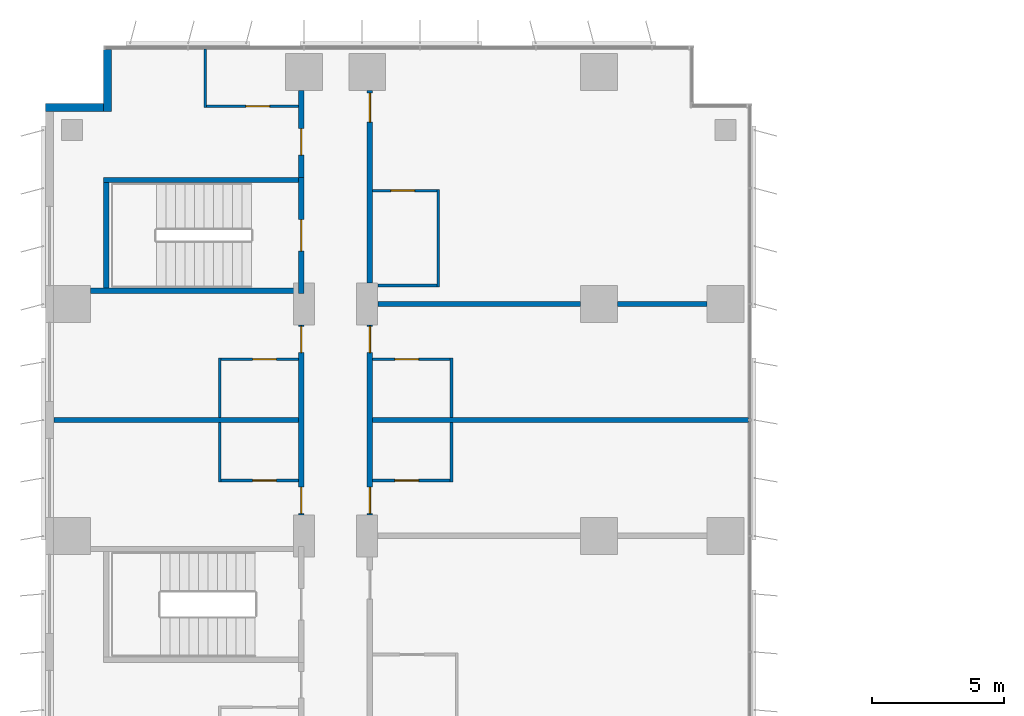
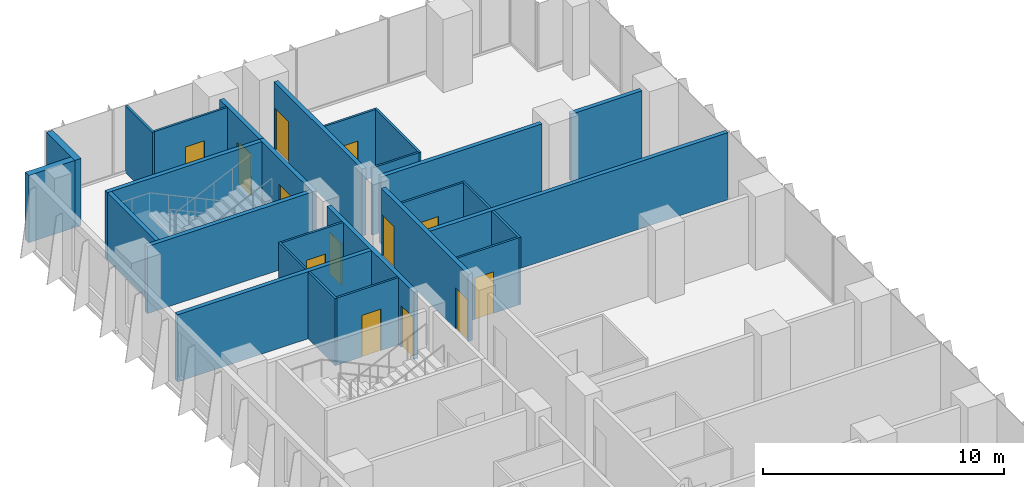
# One storey, part 19 of 24: 27 walls, 13 doors, 13 openings.
"""IFC4 building model written with IfcOpenShell, lengths in metres."""

from ifc_helpers import new_model, si_unit, direction, frame, frame_2d, origin, place, context, subcontext, project, spatial, rectangle, extrude, material, layer, layer_set, type_object, element, fill, save


model = new_model("IFC4")

# Units and contexts
model_context = context("Model", 3, precision=1e-05, world=origin(), true_north=direction((0.0, 1.0)))
body_context = subcontext(model_context, "Body", "Model", "MODEL_VIEW")
ifc_project = project(units=[si_unit("LENGTHUNIT", "METRE"), si_unit("AREAUNIT", "SQUARE_METRE"), si_unit("VOLUMEUNIT", "CUBIC_METRE"), si_unit("PLANEANGLEUNIT", "RADIAN"), si_unit("MASSUNIT", "GRAM", prefix="KILO")], contexts=[model_context])

# Site, building, storey
site_placement = place(None, origin())
site = spatial("IfcSite", under=ifc_project, at=site_placement, CompositionType="ELEMENT")
building_placement = place(site_placement, origin())
building = spatial("IfcBuilding", under=site, at=building_placement, Name="Kemantara Hotel Tower", CompositionType="ELEMENT")
storey_placement = place(building_placement, frame((0.0, 0.0, 37.699951171875)))
storey = spatial("IfcBuildingStorey", under=building, at=storey_placement, Name="L07", CompositionType="ELEMENT", Elevation=37.699951171875)

# Walls
ifc_material_1 = material(Name="Bronze anodised aluminium cladding on insulated steel stud wall", Category="steel")
ifc_layer_1 = layer(ifc_material_1, 0.300048828125)
ifc_layer_set_1 = layer_set([ifc_layer_1], Name="Bronze anodised aluminium cladding on insulated steel stud wall")
wall_type_1 = type_object("IfcWallType", Name="BRONZE METAL-CLAD EXTERNAL WALL 300", PredefinedType="STANDARD", material=ifc_layer_set_1)
wall_1_placement = place(storey_placement, frame((2.35009765625, 81.050048828125, 0.0), z_axis=(0.0, 0.0, 1.0), x_axis=(0.0, -1.0, 0.0)))
element("IfcWall", 1, at=wall_1_placement, inside=storey, type_object=wall_type_1, Name="EXTERNAL WALL L07 T1-R12", PredefinedType="STANDARD", context=body_context, shape_type="SweptSolid", body=[
    extrude(rectangle(XDim=2.35009765625, YDim=0.300048828125, at=frame_2d((1.175048828125, 0.0))), origin(), (0.0, 0.0, 1.0), 3.400146484375),
])
wall_2_placement = place(storey_placement, frame((2.199951171875, 78.85009765625, 0.0), z_axis=(0.0, 0.0, 1.0), x_axis=(-1.0, 0.0, 0.0)))
element("IfcWall", 2, at=wall_2_placement, inside=storey, type_object=wall_type_1, Name="EXTERNAL WALL L07 T1-R13", PredefinedType="STANDARD", context=body_context, shape_type="SweptSolid", body=[
    extrude(rectangle(XDim=2.199951171875, YDim=0.300048828125, at=frame_2d((1.10009765625, 0.0))), origin(), (0.0, 0.0, 1.0), 3.400146484375),
])

# Wall, openings, doors
ifc_material_2 = material(Name="Gypsum board partition, steel studs and mineral wool, 200 mm", Category="steel")
ifc_layer_2 = layer(ifc_material_2, 0.199951171875)
ifc_layer_set_2 = layer_set([ifc_layer_2], Name="Gypsum board partition, steel studs and mineral wool, 200 mm")
wall_type_2 = type_object("IfcWallType", Name="CORRIDOR WALL 200", PredefinedType="PARTITIONING", material=ifc_layer_set_2)
wall_3_placement = place(storey_placement, frame((9.699951171875, 63.400146484375, 0.0), z_axis=(0.0, 0.0, 1.0), x_axis=(0.0, 1.0, 0.0)))
wall_3 = element("IfcWall", 3, at=wall_3_placement, inside=storey, type_object=wall_type_2, Name="CORRIDOR WALL 200 037", PredefinedType="PARTITIONING", context=body_context, shape_type="SweptSolid", body=[
    extrude(rectangle(XDim=7.19970703125, YDim=0.199951171875, at=frame_2d((3.599853515625, 0.0))), origin(), (0.0, 0.0, 1.0), 3.400146484375),
])
opening_1_placement = place(wall_3_placement, frame((0.0498046875, 0.0, 0.0)))
opening_1 = element("IfcOpeningElement", 4, at=opening_1_placement, cuts=wall_3, Name="Opening F01-051", PredefinedType="OPENING", context=body_context, shape_type="SweptSolid", body=[
    extrude(rectangle(XDim=1.0, YDim=2.10009765625, at=frame_2d((0.5, 1.050048828125))), frame((0.0, 0.10986328125, 0.0), z_axis=(0.0, -1.0, 0.0), x_axis=(1.0, 0.0, 0.0)), (0.0, 0.0, 1.0), 0.219970703125),
])
opening_2_placement = place(wall_3_placement, frame((6.14990234375, 0.0, 0.0)))
opening_2 = element("IfcOpeningElement", 5, at=opening_2_placement, cuts=wall_3, Name="Opening F01-053", PredefinedType="OPENING", context=body_context, shape_type="SweptSolid", body=[
    extrude(rectangle(XDim=1.0, YDim=2.10009765625, at=frame_2d((0.5, 1.050048828125))), frame((0.0, 0.10986328125, 0.0), z_axis=(0.0, -1.0, 0.0), x_axis=(1.0, 0.0, 0.0)), (0.0, 0.0, 1.0), 0.219970703125),
])
ifc_material_3 = material(Name="Hardwood veneer door leaf with steel frame", Category="steel")
door_type_1 = type_object("IfcDoorType", Name="GUEST ROOM DOOR 1000 X 2100 FD30S", OperationType="NOTDEFINED", PredefinedType="DOOR", material=ifc_material_3)
door_1_placement = place(opening_1_placement, origin())
door_1 = element("IfcDoor", 6, at=door_1_placement, inside=storey, type_object=door_type_1, Name="GUEST ROOM DOOR F01-051", OperationType="SINGLE_SWING_LEFT", OverallHeight=2.10009765625, OverallWidth=1.0, PredefinedType="DOOR", context=body_context, shape_type="SweptSolid", body=[
    extrude(rectangle(XDim=1.0, YDim=2.10009765625, at=frame_2d((0.5, 1.050048828125))), frame((0.0, 0.02490234375, 0.0), z_axis=(0.0, -1.0, 0.0), x_axis=(1.0, 0.0, 0.0)), (0.0, 0.0, 1.0), 0.050048828125),
])
fill(opening_1, door_1)
door_2_placement = place(opening_2_placement, origin())
door_2 = element("IfcDoor", 7, at=door_2_placement, inside=storey, type_object=door_type_1, Name="GUEST ROOM DOOR F01-053", OperationType="SINGLE_SWING_RIGHT", OverallHeight=2.10009765625, OverallWidth=1.0, PredefinedType="DOOR", context=body_context, shape_type="SweptSolid", body=[
    extrude(rectangle(XDim=1.0, YDim=2.10009765625, at=frame_2d((0.5, 1.050048828125))), frame((0.0, 0.02490234375, 0.0), z_axis=(0.0, -1.0, 0.0), x_axis=(1.0, 0.0, 0.0)), (0.0, 0.0, 1.0), 0.050048828125),
])
fill(opening_2, door_2)

# Wall, opening, door
wall_4_placement = place(storey_placement, frame((9.699951171875, 76.199951171875, 0.0), z_axis=(0.0, 0.0, 1.0), x_axis=(0.0, 1.0, 0.0)))
wall_4 = element("IfcWall", 8, at=wall_4_placement, inside=storey, type_object=wall_type_2, Name="CORRIDOR WALL 200 038", PredefinedType="PARTITIONING", context=body_context, shape_type="SweptSolid", body=[
    extrude(rectangle(XDim=3.300048828125, YDim=0.199951171875, at=frame_2d((1.64990234375, 0.0))), origin(), (0.0, 0.0, 1.0), 3.400146484375),
])
opening_3_placement = place(wall_4_placement, frame((0.85009765625, 0.0, 0.0)))
opening_3 = element("IfcOpeningElement", 9, at=opening_3_placement, cuts=wall_4, Name="Opening F01-055", PredefinedType="OPENING", context=body_context, shape_type="SweptSolid", body=[
    extrude(rectangle(XDim=1.0, YDim=2.10009765625, at=frame_2d((0.5, 1.050048828125))), frame((0.0, 0.10986328125, 0.0), z_axis=(0.0, -1.0, 0.0), x_axis=(1.0, 0.0, 0.0)), (0.0, 0.0, 1.0), 0.219970703125),
])
door_3_placement = place(opening_3_placement, origin())
door_3 = element("IfcDoor", 10, at=door_3_placement, inside=storey, type_object=door_type_1, Name="GUEST ROOM DOOR F01-055", OperationType="SINGLE_SWING_LEFT", OverallHeight=2.10009765625, OverallWidth=1.0, PredefinedType="DOOR", context=body_context, shape_type="SweptSolid", body=[
    extrude(rectangle(XDim=1.0, YDim=2.10009765625, at=frame_2d((0.5, 1.050048828125))), frame((0.0, 0.02490234375, 0.0), z_axis=(0.0, -1.0, 0.0), x_axis=(1.0, 0.0, 0.0)), (0.0, 0.0, 1.0), 0.050048828125),
])
fill(opening_3, door_3)

# Wall, openings, doors
wall_5_placement = place(storey_placement, frame((12.300048828125, 70.599853515625, 0.0), z_axis=(0.0, 0.0, 1.0), x_axis=(0.0, -1.0, 0.0)))
wall_5 = element("IfcWall", 11, at=wall_5_placement, inside=storey, type_object=wall_type_2, Name="CORRIDOR WALL 200 061", PredefinedType="PARTITIONING", context=body_context, shape_type="SweptSolid", body=[
    extrude(rectangle(XDim=7.19970703125, YDim=0.199951171875, at=frame_2d((3.599853515625, 0.0))), origin(), (0.0, 0.0, 1.0), 3.400146484375),
])
opening_4_placement = place(wall_5_placement, frame((6.14990234375, 0.0, 0.0)))
opening_4 = element("IfcOpeningElement", 12, at=opening_4_placement, cuts=wall_5, Name="Opening F01-071", PredefinedType="OPENING", context=body_context, shape_type="SweptSolid", body=[
    extrude(rectangle(XDim=1.0, YDim=2.10009765625, at=frame_2d((0.5, 1.050048828125))), frame((0.0, 0.10986328125, 0.0), z_axis=(0.0, -1.0, 0.0), x_axis=(1.0, 0.0, 0.0)), (0.0, 0.0, 1.0), 0.219970703125),
])
opening_5_placement = place(wall_5_placement, frame((0.0498046875, 0.0, 0.0)))
opening_5 = element("IfcOpeningElement", 13, at=opening_5_placement, cuts=wall_5, Name="Opening F01-073", PredefinedType="OPENING", context=body_context, shape_type="SweptSolid", body=[
    extrude(rectangle(XDim=1.0, YDim=2.10009765625, at=frame_2d((0.5, 1.050048828125))), frame((0.0, 0.10986328125, 0.0), z_axis=(0.0, -1.0, 0.0), x_axis=(1.0, 0.0, 0.0)), (0.0, 0.0, 1.0), 0.219970703125),
])
door_4_placement = place(opening_4_placement, origin())
door_4 = element("IfcDoor", 14, at=door_4_placement, inside=storey, type_object=door_type_1, Name="GUEST ROOM DOOR F01-071", OperationType="SINGLE_SWING_RIGHT", OverallHeight=2.10009765625, OverallWidth=1.0, PredefinedType="DOOR", context=body_context, shape_type="SweptSolid", body=[
    extrude(rectangle(XDim=1.0, YDim=2.10009765625, at=frame_2d((0.5, 1.050048828125))), frame((0.0, 0.02490234375, 0.0), z_axis=(0.0, -1.0, 0.0), x_axis=(1.0, 0.0, 0.0)), (0.0, 0.0, 1.0), 0.050048828125),
])
fill(opening_4, door_4)
door_5_placement = place(opening_5_placement, origin())
door_5 = element("IfcDoor", 15, at=door_5_placement, inside=storey, type_object=door_type_1, Name="GUEST ROOM DOOR F01-073", OperationType="SINGLE_SWING_LEFT", OverallHeight=2.10009765625, OverallWidth=1.0, PredefinedType="DOOR", context=body_context, shape_type="SweptSolid", body=[
    extrude(rectangle(XDim=1.0, YDim=2.10009765625, at=frame_2d((0.5, 1.050048828125))), frame((0.0, 0.02490234375, 0.0), z_axis=(0.0, -1.0, 0.0), x_axis=(1.0, 0.0, 0.0)), (0.0, 0.0, 1.0), 0.050048828125),
])
fill(opening_5, door_5)

# Wall, opening, door
wall_6_placement = place(storey_placement, frame((12.300048828125, 79.5, 0.0), z_axis=(0.0, 0.0, 1.0), x_axis=(0.0, -1.0, 0.0)))
wall_6 = element("IfcWall", 16, at=wall_6_placement, inside=storey, type_object=wall_type_2, Name="CORRIDOR WALL 200 062", PredefinedType="PARTITIONING", context=body_context, shape_type="SweptSolid", body=[
    extrude(rectangle(XDim=7.2998046875, YDim=0.199951171875, at=frame_2d((3.64990234375, 0.0))), origin(), (0.0, 0.0, 1.0), 3.400146484375),
])
opening_6_placement = place(wall_6_placement, frame((0.099853515625, 0.0, 0.0)))
opening_6 = element("IfcOpeningElement", 17, at=opening_6_placement, cuts=wall_6, Name="Opening F01-075", PredefinedType="OPENING", context=body_context, shape_type="SweptSolid", body=[
    extrude(rectangle(XDim=1.10009765625, YDim=2.10009765625, at=frame_2d((0.550048828125, 1.050048828125))), frame((0.0, 0.10986328125, 0.0), z_axis=(0.0, -1.0, 0.0), x_axis=(1.0, 0.0, 0.0)), (0.0, 0.0, 1.0), 0.219970703125),
])
door_type_2 = type_object("IfcDoorType", Name="SUITE ENTRANCE DOOR 1100 X 2100 FD30S", OperationType="NOTDEFINED", PredefinedType="DOOR", material=ifc_material_3)
door_6_placement = place(opening_6_placement, origin())
door_6 = element("IfcDoor", 18, at=door_6_placement, inside=storey, type_object=door_type_2, Name="SUITE ENTRANCE DOOR F01-075", OperationType="SINGLE_SWING_LEFT", OverallHeight=2.10009765625, OverallWidth=1.10009765625, PredefinedType="DOOR", context=body_context, shape_type="SweptSolid", body=[
    extrude(rectangle(XDim=1.10009765625, YDim=2.10009765625, at=frame_2d((0.550048828125, 1.050048828125))), frame((0.0, 0.02490234375, 0.0), z_axis=(0.0, -1.0, 0.0), x_axis=(1.0, 0.0, 0.0)), (0.0, 0.0, 1.0), 0.050048828125),
])
fill(opening_6, door_6)

ifc_material_4 = material(Name="Concrete fc 40 MPa", Category="concrete")
ifc_layer_3 = layer(ifc_material_4, 0.199951171875)
ifc_layer_set_3 = layer_set([ifc_layer_3], Name="Concrete fc 40 MPa")
wall_type_3 = type_object("IfcWallType", Name="Concrete stair wall 200 mm", PredefinedType="SHEAR", material=ifc_layer_set_3)
wall_7_placement = place(storey_placement, frame((9.699951171875, 71.800048828125, 0.0), z_axis=(0.0, 0.0, 1.0), x_axis=(0.0, 1.0, 0.0)))
wall_7 = element("IfcWall", 19, at=wall_7_placement, inside=storey, type_object=wall_type_3, Name="Stair ST6 enclosure wall with door", PredefinedType="SHEAR", context=body_context, shape_type="SweptSolid", body=[
    extrude(rectangle(XDim=4.39990234375, YDim=0.199951171875, at=frame_2d((2.199951171875, 0.0))), origin(), (0.0, 0.0, 1.0), 3.400146484375),
])
opening_7_placement = place(wall_7_placement, frame((1.60009765625, 0.0, 0.0)))
opening_7 = element("IfcOpeningElement", 20, at=opening_7_placement, cuts=wall_7, Name="Opening ST6-C", PredefinedType="OPENING", context=body_context, shape_type="SweptSolid", body=[
    extrude(rectangle(XDim=1.199951171875, YDim=2.10009765625, at=frame_2d((0.60009765625, 1.050048828125))), frame((0.0, 0.10986328125, 0.0), z_axis=(0.0, -1.0, 0.0), x_axis=(1.0, 0.0, 0.0)), (0.0, 0.0, 1.0), 0.219970703125),
])
ifc_material_5 = material(Name="Steel fire door", Category="steel")
door_type_3 = type_object("IfcDoorType", Name="Fire door FD90 1200 x 2100", OperationType="NOTDEFINED", PredefinedType="DOOR", material=ifc_material_5)
door_7_placement = place(opening_7_placement, origin())
door_7 = element("IfcDoor", 21, at=door_7_placement, inside=storey, type_object=door_type_3, Name="Stair ST6 door", OperationType="SINGLE_SWING_RIGHT", OverallHeight=2.10009765625, OverallWidth=1.199951171875, PredefinedType="DOOR", context=body_context, shape_type="SweptSolid", body=[
    extrude(rectangle(XDim=1.199951171875, YDim=2.10009765625, at=frame_2d((0.60009765625, 1.050048828125))), frame((0.0, 0.02490234375, 0.0), z_axis=(0.0, -1.0, 0.0), x_axis=(1.0, 0.0, 0.0)), (0.0, 0.0, 1.0), 0.050048828125),
])
fill(opening_7, door_7)

# Walls
wall_8_placement = place(storey_placement, frame((2.199951171875, 76.10009765625, 0.0), z_axis=(0.0, 0.0, 1.0), x_axis=(1.0, 0.0, 0.0)))
element("IfcWall", 22, at=wall_8_placement, inside=storey, type_object=wall_type_3, Name="Stair ST6 enclosure wall N", PredefinedType="SHEAR", context=body_context, shape_type="SweptSolid", body=[
    extrude(rectangle(XDim=7.400146484375, YDim=0.199951171875, at=frame_2d((3.7001953125, 0.0))), origin(), (0.0, 0.0, 1.0), 3.400146484375),
])
wall_9_placement = place(storey_placement, frame((1.699951171875, 71.89990234375, 0.0), z_axis=(0.0, 0.0, 1.0), x_axis=(1.0, 0.0, 0.0)))
element("IfcWall", 23, at=wall_9_placement, inside=storey, type_object=wall_type_3, Name="Stair ST6 enclosure wall S", PredefinedType="SHEAR", context=body_context, shape_type="SweptSolid", body=[
    extrude(rectangle(XDim=7.900146484375, YDim=0.199951171875, at=frame_2d((3.9501953125, 0.0))), origin(), (0.0, 0.0, 1.0), 3.400146484375),
])
wall_10_placement = place(storey_placement, frame((2.300048828125, 72.0, 0.0), z_axis=(0.0, 0.0, 1.0), x_axis=(0.0, 1.0, 0.0)))
element("IfcWall", 24, at=wall_10_placement, inside=storey, type_object=wall_type_3, Name="Stair ST6 enclosure wall W", PredefinedType="SHEAR", context=body_context, shape_type="SweptSolid", body=[
    extrude(rectangle(XDim=4.0, YDim=0.199951171875, at=frame_2d((2.0, 0.0))), origin(), (0.0, 0.0, 1.0), 3.400146484375),
])
ifc_layer_4 = layer(ifc_material_2, 0.199951171875)
ifc_layer_set_4 = layer_set([ifc_layer_4], Name="Gypsum board partition, steel studs and mineral wool, 200 mm")
wall_type_4 = type_object("IfcWallType", Name="GUEST ROOM PARTY WALL 200", PredefinedType="PARTITIONING", material=ifc_layer_set_4)
wall_11_placement = place(storey_placement, frame((0.31005859375, 67.0, 0.0), z_axis=(0.0, 0.0, 1.0), x_axis=(1.0, 0.0, 0.0)))
element("IfcWall", 25, at=wall_11_placement, inside=storey, type_object=wall_type_4, Name="GUEST ROOM PARTY WALL 200 054", PredefinedType="PARTITIONING", context=body_context, shape_type="SweptSolid", body=[
    extrude(rectangle(XDim=9.2900390625, YDim=0.199951171875, at=frame_2d((4.64501953125, 0.0))), origin(), (0.0, 0.0, 1.0), 3.400146484375),
])
wall_12_placement = place(storey_placement, frame((12.39990234375, 67.0, 0.0), z_axis=(0.0, 0.0, 1.0), x_axis=(1.0, 0.0, 0.0)))
element("IfcWall", 26, at=wall_12_placement, inside=storey, type_object=wall_type_4, Name="GUEST ROOM PARTY WALL 200 055", PredefinedType="PARTITIONING", context=body_context, shape_type="SweptSolid", body=[
    extrude(rectangle(XDim=14.27001953125, YDim=0.199951171875, at=frame_2d((7.135009765625, 0.0))), origin(), (0.0, 0.0, 1.0), 3.400146484375),
])
wall_13_placement = place(storey_placement, frame((12.60009765625, 71.39990234375, 0.0), z_axis=(0.0, 0.0, 1.0), x_axis=(1.0, 0.0, 0.0)))
element("IfcWall", 27, at=wall_13_placement, inside=storey, type_object=wall_type_4, Name="GUEST ROOM PARTY WALL 200 069", PredefinedType="PARTITIONING", context=body_context, shape_type="SweptSolid", body=[
    extrude(rectangle(XDim=7.69970703125, YDim=0.199951171875, at=frame_2d((3.849853515625, 0.0))), origin(), (0.0, 0.0, 1.0), 3.400146484375),
])
wall_14_placement = place(storey_placement, frame((21.7001953125, 71.39990234375, 0.0), z_axis=(0.0, 0.0, 1.0), x_axis=(1.0, 0.0, 0.0)))
element("IfcWall", 28, at=wall_14_placement, inside=storey, type_object=wall_type_4, Name="GUEST ROOM PARTY WALL 200 070", PredefinedType="PARTITIONING", context=body_context, shape_type="SweptSolid", body=[
    extrude(rectangle(XDim=3.399658203125, YDim=0.199951171875, at=frame_2d((1.69970703125, 0.0))), origin(), (0.0, 0.0, 1.0), 3.400146484375),
])
ifc_material_6 = material(Name="Gypsum board partition on steel studs, 100 mm", Category="steel")
ifc_layer_5 = layer(ifc_material_6, 0.10009765625)
ifc_layer_set_5 = layer_set([ifc_layer_5], Name="Gypsum board partition on steel studs, 100 mm")
wall_type_5 = type_object("IfcWallType", Name="ROOM PARTITION 100", PredefinedType="PARTITIONING", material=ifc_layer_set_5)
wall_15_placement = place(storey_placement, frame((6.050048828125, 78.85009765625, 0.0), z_axis=(0.0, 0.0, 1.0), x_axis=(0.0, 1.0, 0.0)))
element("IfcWall", 29, at=wall_15_placement, inside=storey, type_object=wall_type_5, Name="ROOM PARTITION 100 106", PredefinedType="PARTITIONING", context=body_context, shape_type="SweptSolid", body=[
    extrude(rectangle(XDim=2.219970703125, YDim=0.10009765625, at=frame_2d((1.10986328125, 0.0))), origin(), (0.0, 0.0, 1.0), 3.400146484375),
])
for number, where, z_axis, x_axis, name in (
    (30, (6.60009765625, 64.64990234375, 0.0), (0.0, 0.0, 1.0), (0.0, 1.0, 0.0), "ROOM PARTITION 100 119"),
    (31, (6.60009765625, 67.10009765625, 0.0), (0.0, 0.0, 1.0), (0.0, 1.0, 0.0), "ROOM PARTITION 100 120"),
):
    element("IfcWall", number, at=place(storey_placement, frame(where, z_axis=z_axis, x_axis=x_axis)), inside=storey, type_object=wall_type_5, Name=name, PredefinedType="PARTITIONING", context=body_context, shape_type="SweptSolid", body=[
        extrude(rectangle(XDim=2.25, YDim=0.10009765625, at=frame_2d((1.125, 0.0))), origin(), (0.0, 0.0, 1.0), 3.400146484375),
    ])

# Wall, opening, door
wall_16_placement = place(storey_placement, frame((6.64990234375, 64.699951171875, 0.0), z_axis=(0.0, 0.0, 1.0), x_axis=(1.0, 0.0, 0.0)))
wall_16 = element("IfcWall", 32, at=wall_16_placement, inside=storey, type_object=wall_type_5, Name="ROOM PARTITION 100 128", PredefinedType="PARTITIONING", context=body_context, shape_type="SweptSolid", body=[
    extrude(rectangle(XDim=2.9501953125, YDim=0.10009765625, at=frame_2d((1.47509765625, 0.0))), origin(), (0.0, 0.0, 1.0), 3.400146484375),
])
opening_8_placement = place(wall_16_placement, frame((1.199951171875, 0.0, 0.0)))
opening_8 = element("IfcOpeningElement", 33, at=opening_8_placement, cuts=wall_16, Name="Opening F01-052", PredefinedType="OPENING", context=body_context, shape_type="SweptSolid", body=[
    extrude(rectangle(XDim=0.89990234375, YDim=2.10009765625, at=frame_2d((0.449951171875, 1.050048828125))), frame((0.0, 0.06005859375, 0.0), z_axis=(0.0, -1.0, 0.0), x_axis=(1.0, 0.0, 0.0)), (0.0, 0.0, 1.0), 0.1201171875),
])
door_type_4 = type_object("IfcDoorType", Name="BATHROOM DOOR 900 X 2100", OperationType="NOTDEFINED", PredefinedType="DOOR", material=ifc_material_3)
door_8_placement = place(opening_8_placement, origin())
door_8 = element("IfcDoor", 34, at=door_8_placement, inside=storey, type_object=door_type_4, Name="BATHROOM DOOR F01-052", OperationType="SINGLE_SWING_RIGHT", OverallHeight=2.10009765625, OverallWidth=0.89990234375, PredefinedType="DOOR", context=body_context, shape_type="SweptSolid", body=[
    extrude(rectangle(XDim=0.89990234375, YDim=2.10009765625, at=frame_2d((0.449951171875, 1.050048828125))), frame((0.0, 0.02490234375, 0.0), z_axis=(0.0, -1.0, 0.0), x_axis=(1.0, 0.0, 0.0)), (0.0, 0.0, 1.0), 0.050048828125),
])
fill(opening_8, door_8)

wall_17_placement = place(storey_placement, frame((12.39990234375, 64.699951171875, 0.0), z_axis=(0.0, 0.0, 1.0), x_axis=(1.0, 0.0, 0.0)))
wall_17 = element("IfcWall", 35, at=wall_17_placement, inside=storey, type_object=wall_type_5, Name="ROOM PARTITION 100 129", PredefinedType="PARTITIONING", context=body_context, shape_type="SweptSolid", body=[
    extrude(rectangle(XDim=2.9501953125, YDim=0.10009765625, at=frame_2d((1.47509765625, 0.0))), origin(), (0.0, 0.0, 1.0), 3.400146484375),
])
opening_9_placement = place(wall_17_placement, frame((0.85009765625, 0.0, 0.0)))
opening_9 = element("IfcOpeningElement", 36, at=opening_9_placement, cuts=wall_17, Name="Opening F01-072", PredefinedType="OPENING", context=body_context, shape_type="SweptSolid", body=[
    extrude(rectangle(XDim=0.89990234375, YDim=2.10009765625, at=frame_2d((0.449951171875, 1.050048828125))), frame((0.0, 0.06005859375, 0.0), z_axis=(0.0, -1.0, 0.0), x_axis=(1.0, 0.0, 0.0)), (0.0, 0.0, 1.0), 0.1201171875),
])
door_9_placement = place(opening_9_placement, origin())
door_9 = element("IfcDoor", 37, at=door_9_placement, inside=storey, type_object=door_type_4, Name="BATHROOM DOOR F01-072", OperationType="SINGLE_SWING_LEFT", OverallHeight=2.10009765625, OverallWidth=0.89990234375, PredefinedType="DOOR", context=body_context, shape_type="SweptSolid", body=[
    extrude(rectangle(XDim=0.89990234375, YDim=2.10009765625, at=frame_2d((0.449951171875, 1.050048828125))), frame((0.0, 0.02490234375, 0.0), z_axis=(0.0, -1.0, 0.0), x_axis=(1.0, 0.0, 0.0)), (0.0, 0.0, 1.0), 0.050048828125),
])
fill(opening_9, door_9)

wall_18_placement = place(storey_placement, frame((9.60009765625, 69.300048828125, 0.0), z_axis=(0.0, 0.0, 1.0), x_axis=(-1.0, 0.0, 0.0)))
wall_18 = element("IfcWall", 38, at=wall_18_placement, inside=storey, type_object=wall_type_5, Name="ROOM PARTITION 100 130", PredefinedType="PARTITIONING", context=body_context, shape_type="SweptSolid", body=[
    extrude(rectangle(XDim=2.9501953125, YDim=0.10009765625, at=frame_2d((1.47509765625, 0.0))), origin(), (0.0, 0.0, 1.0), 3.400146484375),
])
opening_10_placement = place(wall_18_placement, frame((0.85009765625, 0.0, 0.0)))
opening_10 = element("IfcOpeningElement", 39, at=opening_10_placement, cuts=wall_18, Name="Opening F01-054", PredefinedType="OPENING", context=body_context, shape_type="SweptSolid", body=[
    extrude(rectangle(XDim=0.89990234375, YDim=2.10009765625, at=frame_2d((0.449951171875, 1.050048828125))), frame((0.0, 0.06005859375, 0.0), z_axis=(0.0, -1.0, 0.0), x_axis=(1.0, 0.0, 0.0)), (0.0, 0.0, 1.0), 0.1201171875),
])
door_10_placement = place(opening_10_placement, origin())
door_10 = element("IfcDoor", 40, at=door_10_placement, inside=storey, type_object=door_type_4, Name="BATHROOM DOOR F01-054", OperationType="SINGLE_SWING_LEFT", OverallHeight=2.10009765625, OverallWidth=0.89990234375, PredefinedType="DOOR", context=body_context, shape_type="SweptSolid", body=[
    extrude(rectangle(XDim=0.89990234375, YDim=2.10009765625, at=frame_2d((0.449951171875, 1.050048828125))), frame((0.0, 0.02490234375, 0.0), z_axis=(0.0, -1.0, 0.0), x_axis=(1.0, 0.0, 0.0)), (0.0, 0.0, 1.0), 0.050048828125),
])
fill(opening_10, door_10)

wall_19_placement = place(storey_placement, frame((15.35009765625, 69.300048828125, 0.0), z_axis=(0.0, 0.0, 1.0), x_axis=(-1.0, 0.0, 0.0)))
wall_19 = element("IfcWall", 41, at=wall_19_placement, inside=storey, type_object=wall_type_5, Name="ROOM PARTITION 100 131", PredefinedType="PARTITIONING", context=body_context, shape_type="SweptSolid", body=[
    extrude(rectangle(XDim=2.9501953125, YDim=0.10009765625, at=frame_2d((1.47509765625, 0.0))), origin(), (0.0, 0.0, 1.0), 3.400146484375),
])
opening_11_placement = place(wall_19_placement, frame((1.199951171875, 0.0, 0.0)))
opening_11 = element("IfcOpeningElement", 42, at=opening_11_placement, cuts=wall_19, Name="Opening F01-074", PredefinedType="OPENING", context=body_context, shape_type="SweptSolid", body=[
    extrude(rectangle(XDim=0.89990234375, YDim=2.10009765625, at=frame_2d((0.449951171875, 1.050048828125))), frame((0.0, 0.06005859375, 0.0), z_axis=(0.0, -1.0, 0.0), x_axis=(1.0, 0.0, 0.0)), (0.0, 0.0, 1.0), 0.1201171875),
])
door_11_placement = place(opening_11_placement, origin())
door_11 = element("IfcDoor", 43, at=door_11_placement, inside=storey, type_object=door_type_4, Name="BATHROOM DOOR F01-074", OperationType="SINGLE_SWING_RIGHT", OverallHeight=2.10009765625, OverallWidth=0.89990234375, PredefinedType="DOOR", context=body_context, shape_type="SweptSolid", body=[
    extrude(rectangle(XDim=0.89990234375, YDim=2.10009765625, at=frame_2d((0.449951171875, 1.050048828125))), frame((0.0, 0.02490234375, 0.0), z_axis=(0.0, -1.0, 0.0), x_axis=(1.0, 0.0, 0.0)), (0.0, 0.0, 1.0), 0.050048828125),
])
fill(opening_11, door_11)

wall_20_placement = place(storey_placement, frame((6.10009765625, 78.89990234375, 0.0), z_axis=(0.0, 0.0, 1.0), x_axis=(1.0, 0.0, 0.0)))
wall_20 = element("IfcWall", 44, at=wall_20_placement, inside=storey, type_object=wall_type_5, Name="ROOM PARTITION 100 132", PredefinedType="PARTITIONING", context=body_context, shape_type="SweptSolid", body=[
    extrude(rectangle(XDim=3.5, YDim=0.10009765625, at=frame_2d((1.75, 0.0))), origin(), (0.0, 0.0, 1.0), 3.400146484375),
])
opening_12_placement = place(wall_20_placement, frame((1.5, 0.0, 0.0)))
opening_12 = element("IfcOpeningElement", 45, at=opening_12_placement, cuts=wall_20, Name="Opening F01-056", PredefinedType="OPENING", context=body_context, shape_type="SweptSolid", body=[
    extrude(rectangle(XDim=0.89990234375, YDim=2.10009765625, at=frame_2d((0.449951171875, 1.050048828125))), frame((0.0, 0.06005859375, 0.0), z_axis=(0.0, -1.0, 0.0), x_axis=(1.0, 0.0, 0.0)), (0.0, 0.0, 1.0), 0.1201171875),
])
door_12_placement = place(opening_12_placement, origin())
door_12 = element("IfcDoor", 46, at=door_12_placement, inside=storey, type_object=door_type_4, Name="BATHROOM DOOR F01-056", OperationType="SINGLE_SWING_RIGHT", OverallHeight=2.10009765625, OverallWidth=0.89990234375, PredefinedType="DOOR", context=body_context, shape_type="SweptSolid", body=[
    extrude(rectangle(XDim=0.89990234375, YDim=2.10009765625, at=frame_2d((0.449951171875, 1.050048828125))), frame((0.0, 0.02490234375, 0.0), z_axis=(0.0, -1.0, 0.0), x_axis=(1.0, 0.0, 0.0)), (0.0, 0.0, 1.0), 0.050048828125),
])
fill(opening_12, door_12)

# Walls
for number, where, z_axis, x_axis, name in (
    (47, (15.39990234375, 64.64990234375, 0.0), (0.0, 0.0, 1.0), (0.0, 1.0, 0.0), "ROOM PARTITION 100 141"),
    (48, (15.39990234375, 67.10009765625, 0.0), (0.0, 0.0, 1.0), (0.0, 1.0, 0.0), "ROOM PARTITION 100 142"),
):
    element("IfcWall", number, at=place(storey_placement, frame(where, z_axis=z_axis, x_axis=x_axis)), inside=storey, type_object=wall_type_5, Name=name, PredefinedType="PARTITIONING", context=body_context, shape_type="SweptSolid", body=[
        extrude(rectangle(XDim=2.25, YDim=0.10009765625, at=frame_2d((1.125, 0.0))), origin(), (0.0, 0.0, 1.0), 3.400146484375),
    ])
wall_21_placement = place(storey_placement, frame((14.89990234375, 72.050048828125, 0.0), z_axis=(0.0, 0.0, 1.0), x_axis=(0.0, 1.0, 0.0)))
element("IfcWall", 49, at=wall_21_placement, inside=storey, type_object=wall_type_5, Name="ROOM PARTITION 100 148", PredefinedType="PARTITIONING", context=body_context, shape_type="SweptSolid", body=[
    extrude(rectangle(XDim=3.699951171875, YDim=0.10009765625, at=frame_2d((1.85009765625, 0.0))), origin(), (0.0, 0.0, 1.0), 3.400146484375),
])
wall_22_placement = place(storey_placement, frame((12.60009765625, 72.10009765625, 0.0), z_axis=(0.0, 0.0, 1.0), x_axis=(1.0, 0.0, 0.0)))
element("IfcWall", 50, at=wall_22_placement, inside=storey, type_object=wall_type_5, Name="ROOM PARTITION 100 149", PredefinedType="PARTITIONING", context=body_context, shape_type="SweptSolid", body=[
    extrude(rectangle(XDim=2.25, YDim=0.10009765625, at=frame_2d((1.125, 0.0))), origin(), (0.0, 0.0, 1.0), 3.400146484375),
])

# Wall, opening, door
wall_23_placement = place(storey_placement, frame((14.85009765625, 75.699951171875, 0.0), z_axis=(0.0, 0.0, 1.0), x_axis=(-1.0, 0.0, 0.0)))
wall_23 = element("IfcWall", 51, at=wall_23_placement, inside=storey, type_object=wall_type_5, Name="ROOM PARTITION 100 150", PredefinedType="PARTITIONING", context=body_context, shape_type="SweptSolid", body=[
    extrude(rectangle(XDim=2.4501953125, YDim=0.10009765625, at=frame_2d((1.22509765625, 0.0))), origin(), (0.0, 0.0, 1.0), 3.400146484375),
])
opening_13_placement = place(wall_23_placement, frame((0.85009765625, 0.0, 0.0)))
opening_13 = element("IfcOpeningElement", 52, at=opening_13_placement, cuts=wall_23, Name="Opening F01-076", PredefinedType="OPENING", context=body_context, shape_type="SweptSolid", body=[
    extrude(rectangle(XDim=0.89990234375, YDim=2.10009765625, at=frame_2d((0.449951171875, 1.050048828125))), frame((0.0, 0.06005859375, 0.0), z_axis=(0.0, -1.0, 0.0), x_axis=(1.0, 0.0, 0.0)), (0.0, 0.0, 1.0), 0.1201171875),
])
door_13_placement = place(opening_13_placement, origin())
door_13 = element("IfcDoor", 53, at=door_13_placement, inside=storey, type_object=door_type_4, Name="BATHROOM DOOR F01-076", OperationType="SINGLE_SWING_RIGHT", OverallHeight=2.10009765625, OverallWidth=0.89990234375, PredefinedType="DOOR", context=body_context, shape_type="SweptSolid", body=[
    extrude(rectangle(XDim=0.89990234375, YDim=2.10009765625, at=frame_2d((0.449951171875, 1.050048828125))), frame((0.0, 0.02490234375, 0.0), z_axis=(0.0, -1.0, 0.0), x_axis=(1.0, 0.0, 0.0)), (0.0, 0.0, 1.0), 0.050048828125),
])
fill(opening_13, door_13)

save(model, "model.ifc")
